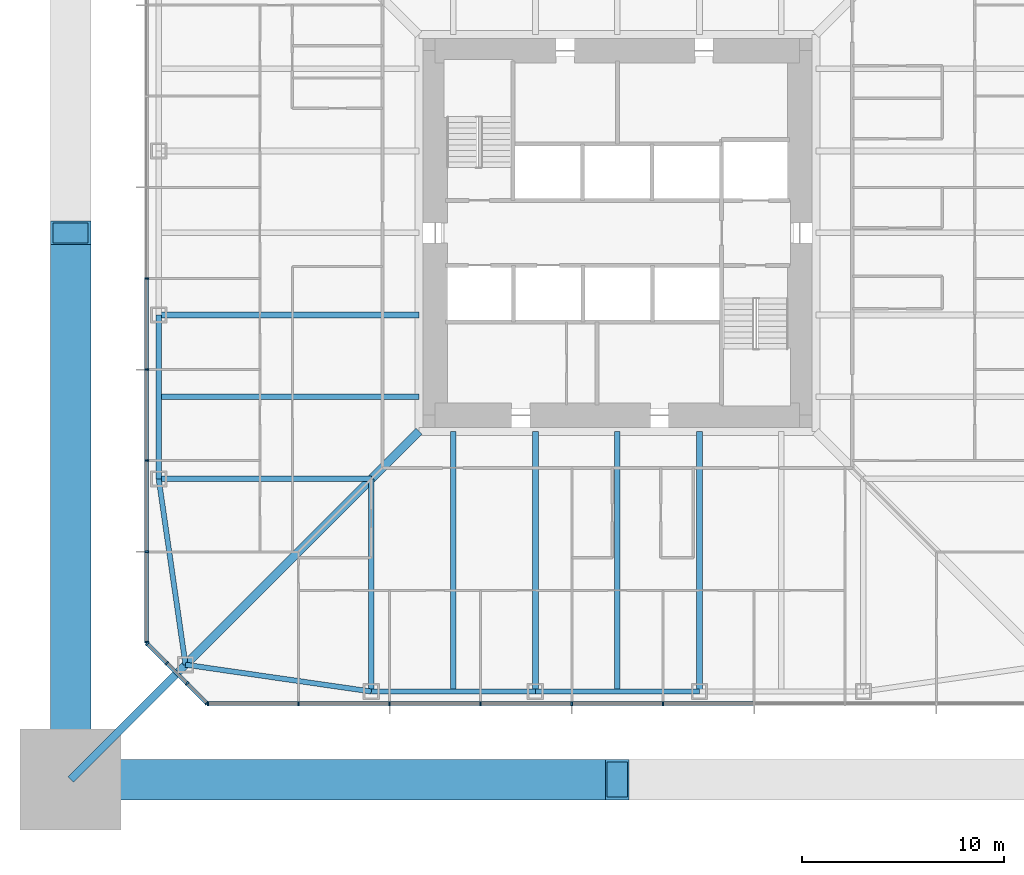
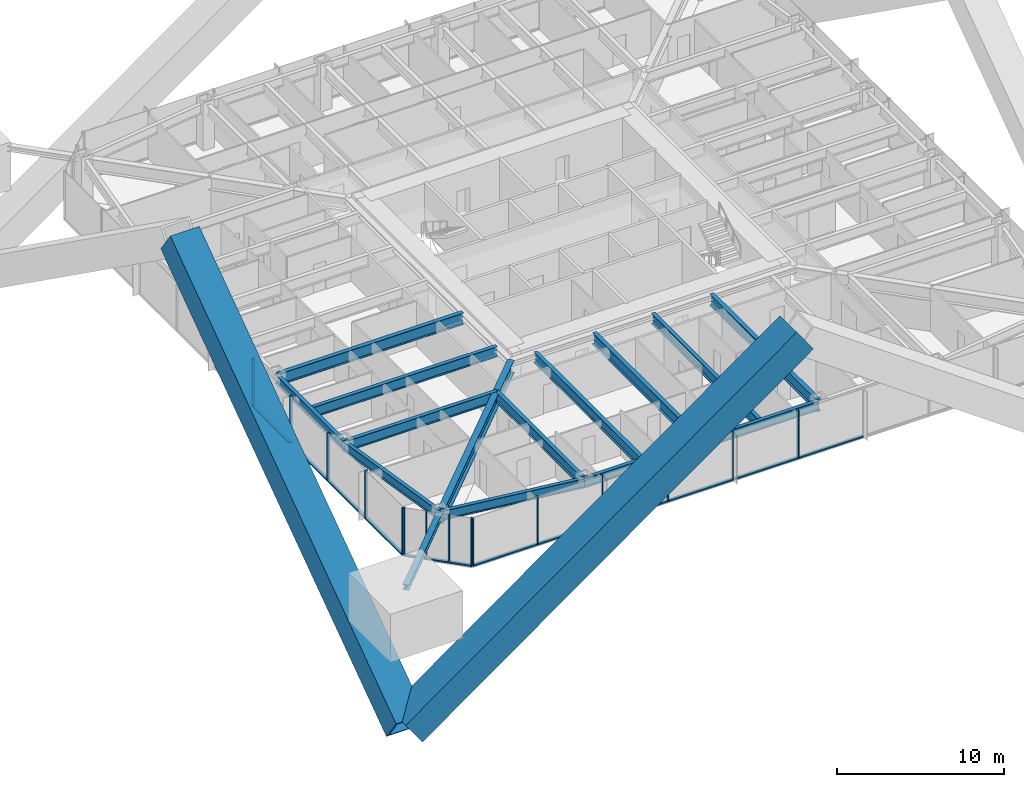
# One storey, part 3 of 28: 31 members, 14 beams, 3 elements without a shape of their own.
"""IFC4 building model written with IfcOpenShell, lengths in metres."""

import ifcopenshell
import ifcopenshell.guid

model = None  # the IFC model being written
_history = None  # IfcOwnerHistory: only IFC2X3 demands one
_inside = {}  # id of a spatial element -> (the spatial element, [elements in it])
_under = {}  # id of a project, library or spatial element -> (it, [spatial elements below it])
_declared = {}  # id of a project -> (the project, [libraries it declares])
_typed = {}  # id of a type object -> (the type object, [elements of that type])
_made_of = {}  # id of a material, layer set ... -> (it, [elements and type objects made of it])


def new_model(schema):
    """Start an empty IFC model of exactly this schema.

    Asked for "IFC4X3", IfcOpenShell would pick the latest addendum, in which some entities
    have other attributes; the version numbers below select the first issue.
    IFC2X3 requires an IfcOwnerHistory on every rooted entity: one is made here for all.
    """
    global model, _history
    if schema == "IFC4X3":
        model = ifcopenshell.file(schema_version=(4, 3, 0, 0))
    else:
        model = ifcopenshell.file(schema=schema)
    _inside.clear()
    _under.clear()
    _declared.clear()
    _typed.clear()
    _made_of.clear()
    _history = None
    if model.schema == "IFC2X3":
        org = make("IfcOrganization", Name="unknown")
        user = make(
            "IfcPersonAndOrganization",
            ThePerson=make("IfcPerson", FamilyName="unknown"),
            TheOrganization=org,
        )
        app = make(
            "IfcApplication",
            ApplicationDeveloper=org,
            Version="unknown",
            ApplicationFullName="unknown",
            ApplicationIdentifier="unknown",
        )
        _history = make(
            "IfcOwnerHistory",
            OwningUser=user,
            OwningApplication=app,
            ChangeAction="ADDED",
            CreationDate=0,
        )
    return model


def make(cls, **values):
    """One entity of the class cls with the attributes given. An attribute that is None is left unset."""
    return model.create_entity(
        cls, **{name: value for name, value in values.items() if value is not None}
    )


def rooted(cls, **values):
    """An entity with a GlobalId (a new one), such as an element, a storey or a relation."""
    return make(cls, GlobalId=ifcopenshell.guid.new(), OwnerHistory=_history, **values)


def si_unit(unit_type, name, prefix=None):
    """IfcSIUnit, for example si_unit("LENGTHUNIT", "METRE", prefix="MILLI")."""
    return make("IfcSIUnit", UnitType=unit_type, Prefix=prefix, Name=name)


def assignment(units):
    """IfcUnitAssignment: the units of a project."""
    return None if units is None else make("IfcUnitAssignment", Units=units)


def point(xyz):
    """IfcCartesianPoint."""
    return None if xyz is None else make("IfcCartesianPoint", Coordinates=xyz)


def direction(xyz):
    """IfcDirection."""
    return None if xyz is None else make("IfcDirection", DirectionRatios=xyz)


def frame(location, z_axis=None, x_axis=None):
    """IfcAxis2Placement3D, a coordinate frame: its origin and axes. An axis left out is left unset."""
    return make(
        "IfcAxis2Placement3D",
        Location=point(location),
        Axis=direction(z_axis),
        RefDirection=direction(x_axis),
    )


def frame_2d(location, x_axis=None):
    """IfcAxis2Placement2D, a coordinate frame in the plane: its origin and x axis."""
    return make(
        "IfcAxis2Placement2D", Location=point(location), RefDirection=direction(x_axis)
    )


def origin():
    """The frame at (0, 0, 0) with its axes left unset."""
    return frame((0.0, 0.0, 0.0))


def origin_2d():
    """The frame at (0, 0) in the plane with its x axis left unset."""
    return frame_2d((0.0, 0.0))


def place(relative_to, where):
    """IfcLocalPlacement: puts the frame where relative to a parent placement (None: the world)."""
    return make(
        "IfcLocalPlacement", PlacementRelTo=relative_to, RelativePlacement=where
    )


def context(
    kind, dimensions, precision=None, world=None, true_north=None, identifier=None
):
    """IfcGeometricRepresentationContext, for example the 3D "Model" context."""
    return make(
        "IfcGeometricRepresentationContext",
        ContextIdentifier=identifier,
        ContextType=kind,
        CoordinateSpaceDimension=dimensions,
        Precision=precision,
        WorldCoordinateSystem=world,
        TrueNorth=true_north,
    )


def subcontext(parent, identifier, kind, view, scale=None):
    """IfcGeometricRepresentationSubContext, for example "Body" below "Model"."""
    return make(
        "IfcGeometricRepresentationSubContext",
        ContextIdentifier=identifier,
        ContextType=kind,
        ParentContext=parent,
        TargetScale=scale,
        TargetView=view,
    )


def project(units=None, contexts=None):
    """IfcProject with its units and contexts."""
    return rooted(
        "IfcProject",
        Name="project",
        RepresentationContexts=contexts,
        UnitsInContext=assignment(units),
    )


def spatial(cls, under=None, at=None, **own):
    """A site, building, storey or space (cls), placed at a placement, below another one or the project."""
    s = rooted(cls, ObjectPlacement=at, **own)
    if under is not None:
        _under.setdefault(under.id(), (under, []))[1].append(s)
    return s


def profile(cls, at=None, kind="AREA", **sizes):
    """A parametric profile (cls). Its sizes go by their IFC names, for example OverallWidth=200.0."""
    return make(cls, ProfileType=kind, Position=at, **sizes)


def rectangle(**sizes):
    """IfcRectangleProfileDef."""
    return profile("IfcRectangleProfileDef", **sizes)


def hollow_rectangle(**sizes):
    """IfcRectangleHollowProfileDef."""
    return profile("IfcRectangleHollowProfileDef", **sizes)


def i_section(**sizes):
    """IfcIShapeProfileDef."""
    return profile("IfcIShapeProfileDef", **sizes)


def extrude(swept, where, along, depth):
    """IfcExtrudedAreaSolid: the profile swept, set in the frame where, extruded along a direction by depth."""
    return make(
        "IfcExtrudedAreaSolid",
        SweptArea=swept,
        Position=where,
        ExtrudedDirection=direction(along),
        Depth=depth,
    )


def shape(context_of_items, identifier, shape_type, items):
    """IfcShapeRepresentation: the items that make up one representation, for example the "Body"."""
    return make(
        "IfcShapeRepresentation",
        ContextOfItems=context_of_items,
        RepresentationIdentifier=identifier,
        RepresentationType=shape_type,
        Items=items,
    )


def material(Name=None, Category=None):
    """IfcMaterial."""
    return make("IfcMaterial", Name=Name, Category=Category)


def material_profile(
    of_material, cross_section, Name=None, Category=None, Priority=None
):
    """IfcMaterialProfile: a cross section and its material."""
    return make(
        "IfcMaterialProfile",
        Name=Name,
        Material=of_material,
        Profile=cross_section,
        Priority=Priority,
        Category=Category,
    )


def profile_set(profiles, Name=None, composite=None):
    """IfcMaterialProfileSet."""
    return make(
        "IfcMaterialProfileSet",
        Name=Name,
        MaterialProfiles=profiles,
        CompositeProfile=composite,
    )


def made_of(thing, what):
    """Note that an element or type object is made of a material, layer set ...; save() writes the relation."""
    if what is not None:
        _made_of.setdefault(what.id(), (what, []))[1].append(thing)
    return thing


def type_object(cls, material=None, **own):
    """A type object (cls), such as IfcWallType, which elements share."""
    return made_of(rooted(cls, **own), material)


def element(
    cls,
    number,
    at=None,
    inside=None,
    cuts=None,
    type_object=None,
    material=None,
    context=None,
    identifier="Body",
    shape_type=None,
    held_by="IfcProductDefinitionShape",
    body=None,
    shapes=None,
    **own,
):
    """One element of the class cls, such as IfcWall. Its Tag is "e" and its number.

    at: its placement. inside: the storey or other place that contains it. cuts: it is an
    opening in that element (IfcRelVoidsElement). A single representation is given by context,
    identifier, shape_type and body (its items); several are given by shapes. held_by: the class
    of the entity that holds the representations. save() writes the other relations.
    """
    e = rooted(cls, Tag="e%d" % number, ObjectPlacement=at, **own)
    if body is not None:
        shapes = [shape(context, identifier, shape_type, body)]
    if shapes is not None:
        e.Representation = make(held_by, Representations=shapes)
    if inside is not None:
        _inside.setdefault(inside.id(), (inside, []))[1].append(e)
    if cuts is not None:
        rooted(
            "IfcRelVoidsElement", RelatingBuildingElement=cuts, RelatedOpeningElement=e
        )
    if type_object is not None:
        _typed.setdefault(type_object.id(), (type_object, []))[1].append(e)
    return made_of(e, material)


def aggregate(whole, parts):
    """IfcRelAggregates: a whole, such as a stair, and the parts it consists of."""
    return rooted("IfcRelAggregates", RelatingObject=whole, RelatedObjects=parts)


def save(model, path):
    """Write the relations noted so far, then the file.

    IfcRelAggregates (storeys below a building ...), IfcRelContainedInSpatialStructure (elements
    in a storey), IfcRelDefinesByType, IfcRelAssociatesMaterial and IfcRelDeclares: one each for
    every whole, place, type object, material and project.
    """
    for whole, parts in _under.values():
        aggregate(whole, parts)
    for where, things in _inside.values():
        rooted(
            "IfcRelContainedInSpatialStructure",
            RelatedElements=things,
            RelatingStructure=where,
        )
    for kind, things in _typed.values():
        rooted("IfcRelDefinesByType", RelatedObjects=things, RelatingType=kind)
    for what, things in _made_of.values():
        rooted("IfcRelAssociatesMaterial", RelatedObjects=things, RelatingMaterial=what)
    for by, libraries in _declared.values():
        rooted("IfcRelDeclares", RelatingContext=by, RelatedDefinitions=libraries)
    model.write(path)


model = new_model("IFC4")

# Units and contexts
model_context = context("Model", 3, precision=1e-05, world=origin(), true_north=direction((0.0, 1.0)))
body_context = subcontext(model_context, "Body", "Model", "MODEL_VIEW")
ifc_project = project(units=[si_unit("LENGTHUNIT", "METRE"), si_unit("AREAUNIT", "SQUARE_METRE"), si_unit("VOLUMEUNIT", "CUBIC_METRE"), si_unit("PLANEANGLEUNIT", "RADIAN"), si_unit("MASSUNIT", "GRAM", prefix="KILO")], contexts=[model_context])

# Site, building, storey
site_placement = place(None, origin())
site = spatial("IfcSite", under=ifc_project, at=site_placement, CompositionType="ELEMENT")
building_placement = place(site_placement, origin())
building = spatial("IfcBuilding", under=site, at=building_placement, Name="Iwan Alto Co-Living Towers", CompositionType="ELEMENT")
storey_placement = place(building_placement, frame((0.0, 0.0, 43.0)))
storey = spatial("IfcBuildingStorey", under=building, at=storey_placement, Name="L11", CompositionType="ELEMENT", Elevation=43.0)

# Curtain wall, members
ifc_material_1 = material(Name="Bronze aluminium unitised frame", Category="aluminium")
curtain_wall_type_1 = type_object("IfcCurtainWallType", Name="CURTAIN WALL CW-A", PredefinedType="NOTDEFINED", material=ifc_material_1)
curtain_wall_1_placement = place(storey_placement, origin())
curtain_wall_1 = element("IfcCurtainWall", 1, at=curtain_wall_1_placement, inside=storey, type_object=curtain_wall_type_1, Name="T1 curtain wall S L11", PredefinedType="NOTDEFINED")
ifc_material_2 = material(Name="Aluminium 6063-T6 bronze anodised", Category="aluminium")
ifc_material_profile_1 = material_profile(ifc_material_2, rectangle(XDim=0.199951171875, YDim=0.080078125, at=origin_2d()), Name="AL 80X200")
ifc_profile_set_1 = profile_set([ifc_material_profile_1], Name="Aluminium 6063-T6 bronze anodised")
member_type_1 = type_object("IfcMemberType", Name="CW-A MULLION 80X200", PredefinedType="MULLION", material=ifc_profile_set_1)
member_1_placement = place(storey_placement, frame((-20.2099609375, -23.25, 0.0), z_axis=(0.0, 0.0, 1.0), x_axis=(0.0, 1.0, 0.0)))
member_1 = element("IfcMember", 2, at=member_1_placement, type_object=member_type_1, Name="CW-A mullion 1", PredefinedType="MULLION", context=body_context, shape_type="SweptSolid", body=[
    extrude(rectangle(XDim=0.199951171875, YDim=0.080078125, at=origin_2d()), origin(), (0.0, 0.0, 1.0), 3.5),
])
member_2_placement = place(storey_placement, frame((-15.75, -23.25, 0.0), z_axis=(0.0, 0.0, 1.0), x_axis=(0.0, 1.0, 0.0)))
member_2 = element("IfcMember", 3, at=member_2_placement, type_object=member_type_1, Name="CW-A mullion 2", PredefinedType="MULLION", context=body_context, shape_type="SweptSolid", body=[
    extrude(rectangle(XDim=0.199951171875, YDim=0.080078125, at=origin_2d()), origin(), (0.0, 0.0, 1.0), 3.5),
])
member_3_placement = place(storey_placement, frame((-11.25, -23.25, 0.0), z_axis=(0.0, 0.0, 1.0), x_axis=(0.0, 1.0, 0.0)))
member_3 = element("IfcMember", 4, at=member_3_placement, type_object=member_type_1, Name="CW-A mullion 3", PredefinedType="MULLION", context=body_context, shape_type="SweptSolid", body=[
    extrude(rectangle(XDim=0.199951171875, YDim=0.080078125, at=origin_2d()), origin(), (0.0, 0.0, 1.0), 3.5),
])
member_4_placement = place(storey_placement, frame((-6.75, -23.25, 0.0), z_axis=(0.0, 0.0, 1.0), x_axis=(0.0, 1.0, 0.0)))
member_4 = element("IfcMember", 5, at=member_4_placement, type_object=member_type_1, Name="CW-A mullion 4", PredefinedType="MULLION", context=body_context, shape_type="SweptSolid", body=[
    extrude(rectangle(XDim=0.199951171875, YDim=0.080078125, at=origin_2d()), origin(), (0.0, 0.0, 1.0), 3.5),
])
member_5_placement = place(storey_placement, frame((-2.25, -23.25, 0.0), z_axis=(0.0, 0.0, 1.0), x_axis=(0.0, 1.0, 0.0)))
member_5 = element("IfcMember", 6, at=member_5_placement, type_object=member_type_1, Name="CW-A mullion 5", PredefinedType="MULLION", context=body_context, shape_type="SweptSolid", body=[
    extrude(rectangle(XDim=0.199951171875, YDim=0.080078125, at=origin_2d()), origin(), (0.0, 0.0, 1.0), 3.5),
])
member_6_placement = place(storey_placement, frame((2.25, -23.25, 0.0), z_axis=(0.0, 0.0, 1.0), x_axis=(0.0, 1.0, 0.0)))
member_6 = element("IfcMember", 7, at=member_6_placement, type_object=member_type_1, Name="CW-A mullion 6", PredefinedType="MULLION", context=body_context, shape_type="SweptSolid", body=[
    extrude(rectangle(XDim=0.199951171875, YDim=0.080078125, at=origin_2d()), origin(), (0.0, 0.0, 1.0), 3.5),
])

curtain_wall_2_placement = place(storey_placement, origin())
curtain_wall_2 = element("IfcCurtainWall", 8, at=curtain_wall_2_placement, inside=storey, type_object=curtain_wall_type_1, Name="T1 curtain wall W L11", PredefinedType="NOTDEFINED")
member_7_placement = place(storey_placement, frame((-23.25, -2.25, 0.0), z_axis=(0.0, 0.0, 1.0), x_axis=(1.0, 0.0, 0.0)))
member_7 = element("IfcMember", 9, at=member_7_placement, type_object=member_type_1, Name="CW-A mullion 6", PredefinedType="MULLION", context=body_context, shape_type="SweptSolid", body=[
    extrude(rectangle(XDim=0.199951171875, YDim=0.080078125, at=origin_2d()), origin(), (0.0, 0.0, 1.0), 3.5),
])
member_8_placement = place(storey_placement, frame((-23.25, -6.75, 0.0), z_axis=(0.0, 0.0, 1.0), x_axis=(1.0, 0.0, 0.0)))
member_8 = element("IfcMember", 10, at=member_8_placement, type_object=member_type_1, Name="CW-A mullion 7", PredefinedType="MULLION", context=body_context, shape_type="SweptSolid", body=[
    extrude(rectangle(XDim=0.199951171875, YDim=0.080078125, at=origin_2d()), origin(), (0.0, 0.0, 1.0), 3.5),
])
member_9_placement = place(storey_placement, frame((-23.25, -11.25, 0.0), z_axis=(0.0, 0.0, 1.0), x_axis=(1.0, 0.0, 0.0)))
member_9 = element("IfcMember", 11, at=member_9_placement, type_object=member_type_1, Name="CW-A mullion 8", PredefinedType="MULLION", context=body_context, shape_type="SweptSolid", body=[
    extrude(rectangle(XDim=0.199951171875, YDim=0.080078125, at=origin_2d()), origin(), (0.0, 0.0, 1.0), 3.5),
])
member_10_placement = place(storey_placement, frame((-23.25, -15.75, 0.0), z_axis=(0.0, 0.0, 1.0), x_axis=(1.0, 0.0, 0.0)))
member_10 = element("IfcMember", 12, at=member_10_placement, type_object=member_type_1, Name="CW-A mullion 9", PredefinedType="MULLION", context=body_context, shape_type="SweptSolid", body=[
    extrude(rectangle(XDim=0.199951171875, YDim=0.080078125, at=origin_2d()), origin(), (0.0, 0.0, 1.0), 3.5),
])
member_11_placement = place(storey_placement, frame((-23.25, -20.2099609375, 0.0), z_axis=(0.0, 0.0, 1.0), x_axis=(1.0, 0.0, 0.0)))
member_11 = element("IfcMember", 13, at=member_11_placement, type_object=member_type_1, Name="CW-A mullion 10", PredefinedType="MULLION", context=body_context, shape_type="SweptSolid", body=[
    extrude(rectangle(XDim=0.199951171875, YDim=0.080078125, at=origin_2d()), origin(), (0.0, 0.0, 1.0), 3.5),
])

# Member
ifc_material_3 = material(Name="Aluminium 6063-T6 bronze anodised", Category="aluminium")
ifc_material_profile_2 = material_profile(ifc_material_3, rectangle(XDim=0.199951171875, YDim=0.10009765625, at=origin_2d()), Name="AL 200X100")
ifc_profile_set_2 = profile_set([ifc_material_profile_2], Name="Aluminium 6063-T6 bronze anodised")
member_type_2 = type_object("IfcMemberType", Name="CW-A TRANSOM 200X100", PredefinedType="USERDEFINED", material=ifc_profile_set_2)
member_12_placement = place(storey_placement, frame((-20.169921875, -23.25, 0.050048828125), z_axis=(1.0, 0.0, 0.0), x_axis=(0.0, 1.0, 0.0)))
member_12 = element("IfcMember", 14, at=member_12_placement, type_object=member_type_2, Name="CW-A transom 1.1", ObjectType="TRANSOM", PredefinedType="USERDEFINED", context=body_context, shape_type="SweptSolid", body=[
    extrude(rectangle(XDim=0.199951171875, YDim=0.10009765625, at=origin_2d()), origin(), (0.0, 0.0, 1.0), 4.3798828125),
])

member_13_placement = place(storey_placement, frame((-15.7099609375, -23.25, 0.050048828125), z_axis=(1.0, 0.0, 0.0), x_axis=(0.0, 1.0, 0.0)))
member_13 = element("IfcMember", 15, at=member_13_placement, type_object=member_type_2, Name="CW-A transom 2.1", ObjectType="TRANSOM", PredefinedType="USERDEFINED", context=body_context, shape_type="SweptSolid", body=[
    extrude(rectangle(XDim=0.199951171875, YDim=0.10009765625, at=origin_2d()), origin(), (0.0, 0.0, 1.0), 4.419921875),
])

member_14_placement = place(storey_placement, frame((-11.2099609375, -23.25, 0.050048828125), z_axis=(1.0, 0.0, 0.0), x_axis=(0.0, 1.0, 0.0)))
member_14 = element("IfcMember", 16, at=member_14_placement, type_object=member_type_2, Name="CW-A transom 3.1", ObjectType="TRANSOM", PredefinedType="USERDEFINED", context=body_context, shape_type="SweptSolid", body=[
    extrude(rectangle(XDim=0.199951171875, YDim=0.10009765625, at=origin_2d()), origin(), (0.0, 0.0, 1.0), 4.419921875),
])

member_15_placement = place(storey_placement, frame((-6.7099609375, -23.25, 0.050048828125), z_axis=(1.0, 0.0, 0.0), x_axis=(0.0, 1.0, 0.0)))
member_15 = element("IfcMember", 17, at=member_15_placement, type_object=member_type_2, Name="CW-A transom 4.1", ObjectType="TRANSOM", PredefinedType="USERDEFINED", context=body_context, shape_type="SweptSolid", body=[
    extrude(rectangle(XDim=0.199951171875, YDim=0.10009765625, at=origin_2d()), origin(), (0.0, 0.0, 1.0), 4.419921875),
])

member_16_placement = place(storey_placement, frame((-2.2099609375, -23.25, 0.050048828125), z_axis=(1.0, 0.0, 0.0), x_axis=(0.0, 1.0, 0.0)))
member_16 = element("IfcMember", 18, at=member_16_placement, type_object=member_type_2, Name="CW-A transom 5.1", ObjectType="TRANSOM", PredefinedType="USERDEFINED", context=body_context, shape_type="SweptSolid", body=[
    extrude(rectangle(XDim=0.199951171875, YDim=0.10009765625, at=origin_2d()), origin(), (0.0, 0.0, 1.0), 4.419921875),
])

member_17_placement = place(storey_placement, frame((2.2900390625, -23.25, 0.050048828125), z_axis=(1.0, 0.0, 0.0), x_axis=(0.0, 1.0, 0.0)))
member_17 = element("IfcMember", 19, at=member_17_placement, type_object=member_type_2, Name="CW-A transom 6.1", ObjectType="TRANSOM", PredefinedType="USERDEFINED", context=body_context, shape_type="SweptSolid", body=[
    extrude(rectangle(XDim=0.199951171875, YDim=0.10009765625, at=origin_2d()), origin(), (0.0, 0.0, 1.0), 4.419921875),
])

aggregate(curtain_wall_1, [member_1, member_2, member_3, member_4, member_5, member_6, member_12, member_13, member_14, member_15, member_16, member_17])

member_18_placement = place(storey_placement, frame((-23.25, -2.2900390625, 0.050048828125), z_axis=(0.0, -1.0, 0.0), x_axis=(1.0, 0.0, 0.0)))
member_18 = element("IfcMember", 20, at=member_18_placement, type_object=member_type_2, Name="CW-A transom 6.1", ObjectType="TRANSOM", PredefinedType="USERDEFINED", context=body_context, shape_type="SweptSolid", body=[
    extrude(rectangle(XDim=0.199951171875, YDim=0.10009765625, at=origin_2d()), origin(), (0.0, 0.0, 1.0), 4.419921875),
])

member_19_placement = place(storey_placement, frame((-23.25, -6.7900390625, 0.050048828125), z_axis=(0.0, -1.0, 0.0), x_axis=(1.0, 0.0, 0.0)))
member_19 = element("IfcMember", 21, at=member_19_placement, type_object=member_type_2, Name="CW-A transom 7.1", ObjectType="TRANSOM", PredefinedType="USERDEFINED", context=body_context, shape_type="SweptSolid", body=[
    extrude(rectangle(XDim=0.199951171875, YDim=0.10009765625, at=origin_2d()), origin(), (0.0, 0.0, 1.0), 4.419921875),
])

member_20_placement = place(storey_placement, frame((-23.25, -11.2900390625, 0.050048828125), z_axis=(0.0, -1.0, 0.0), x_axis=(1.0, 0.0, 0.0)))
member_20 = element("IfcMember", 22, at=member_20_placement, type_object=member_type_2, Name="CW-A transom 8.1", ObjectType="TRANSOM", PredefinedType="USERDEFINED", context=body_context, shape_type="SweptSolid", body=[
    extrude(rectangle(XDim=0.199951171875, YDim=0.10009765625, at=origin_2d()), origin(), (0.0, 0.0, 1.0), 4.419921875),
])

member_21_placement = place(storey_placement, frame((-23.25, -15.7900390625, 0.050048828125), z_axis=(0.0, -1.0, 0.0), x_axis=(1.0, 0.0, 0.0)))
member_21 = element("IfcMember", 23, at=member_21_placement, type_object=member_type_2, Name="CW-A transom 9.1", ObjectType="TRANSOM", PredefinedType="USERDEFINED", context=body_context, shape_type="SweptSolid", body=[
    extrude(rectangle(XDim=0.199951171875, YDim=0.10009765625, at=origin_2d()), origin(), (0.0, 0.0, 1.0), 4.3798828125),
])

aggregate(curtain_wall_2, [member_7, member_8, member_9, member_10, member_11, member_18, member_19, member_20, member_21])

# Curtain wall, members
ifc_material_4 = material(Name="Bronze aluminium unitised frame", Category="aluminium")
curtain_wall_type_2 = type_object("IfcCurtainWallType", Name="CURTAIN WALL CW-B", PredefinedType="NOTDEFINED", material=ifc_material_4)
curtain_wall_3_placement = place(storey_placement, origin())
curtain_wall_3 = element("IfcCurtainWall", 24, at=curtain_wall_3_placement, inside=storey, type_object=curtain_wall_type_2, Name="T1 chamfer curtain wall SW L11", PredefinedType="NOTDEFINED")
ifc_material_5 = material(Name="Aluminium 6063-T6 bronze anodised", Category="aluminium")
ifc_material_profile_3 = material_profile(ifc_material_5, rectangle(XDim=0.199951171875, YDim=0.080078125, at=origin_2d()), Name="AL 80X200")
ifc_profile_set_3 = profile_set([ifc_material_profile_3], Name="Aluminium 6063-T6 bronze anodised")
member_type_3 = type_object("IfcMemberType", Name="CW-B MULLION 80X200", PredefinedType="MULLION", material=ifc_profile_set_3)
member_22_placement = place(storey_placement, frame((-23.2216796875, -20.2783203125, 0.0), z_axis=(0.0, 0.0, 1.0), x_axis=(0.707106781187, 0.707106781187, 0.0)))
member_22 = element("IfcMember", 25, at=member_22_placement, type_object=member_type_3, Name="CW-B mullion 1", PredefinedType="MULLION", context=body_context, shape_type="SweptSolid", body=[
    extrude(rectangle(XDim=0.199951171875, YDim=0.080078125, at=origin_2d()), origin(), (0.0, 0.0, 1.0), 3.5),
])
member_23_placement = place(storey_placement, frame((-22.25, -21.25, 0.0), z_axis=(0.0, 0.0, 1.0), x_axis=(0.707106781187, 0.707106781187, 0.0)))
member_23 = element("IfcMember", 26, at=member_23_placement, type_object=member_type_3, Name="CW-B mullion 2", PredefinedType="MULLION", context=body_context, shape_type="SweptSolid", body=[
    extrude(rectangle(XDim=0.199951171875, YDim=0.080078125, at=origin_2d()), origin(), (0.0, 0.0, 1.0), 3.5),
])
member_24_placement = place(storey_placement, frame((-21.25, -22.25, 0.0), z_axis=(0.0, 0.0, 1.0), x_axis=(0.707106781187, 0.707106781187, 0.0)))
member_24 = element("IfcMember", 27, at=member_24_placement, type_object=member_type_3, Name="CW-B mullion 3", PredefinedType="MULLION", context=body_context, shape_type="SweptSolid", body=[
    extrude(rectangle(XDim=0.199951171875, YDim=0.080078125, at=origin_2d()), origin(), (0.0, 0.0, 1.0), 3.5),
])
member_25_placement = place(storey_placement, frame((-20.2783203125, -23.2216796875, 0.0), z_axis=(0.0, 0.0, 1.0), x_axis=(0.707106781187, 0.707106781187, 0.0)))
member_25 = element("IfcMember", 28, at=member_25_placement, type_object=member_type_3, Name="CW-B mullion 4", PredefinedType="MULLION", context=body_context, shape_type="SweptSolid", body=[
    extrude(rectangle(XDim=0.199951171875, YDim=0.080078125, at=origin_2d()), origin(), (0.0, 0.0, 1.0), 3.5),
])
ifc_material_6 = material(Name="Aluminium 6063-T6 bronze anodised", Category="aluminium")
ifc_material_profile_4 = material_profile(ifc_material_6, rectangle(XDim=0.199951171875, YDim=0.10009765625, at=origin_2d()), Name="AL 200X100")
ifc_profile_set_4 = profile_set([ifc_material_profile_4], Name="Aluminium 6063-T6 bronze anodised")
member_type_4 = type_object("IfcMemberType", Name="CW-B TRANSOM 200X100", PredefinedType="USERDEFINED", material=ifc_profile_set_4)
member_26_placement = place(storey_placement, frame((-23.193359375, -20.306640625, 0.050048828125), z_axis=(0.707106781187, -0.707106781187, 0.0), x_axis=(0.707106781187, 0.707106781187, 0.0)))
member_26 = element("IfcMember", 29, at=member_26_placement, type_object=member_type_4, Name="CW-B transom 1.1", ObjectType="TRANSOM", PredefinedType="USERDEFINED", context=body_context, shape_type="SweptSolid", body=[
    extrude(rectangle(XDim=0.199951171875, YDim=0.10009765625, at=origin_2d()), origin(), (0.0, 0.0, 1.0), 1.2939453125),
])
member_27_placement = place(storey_placement, frame((-22.2216796875, -21.2783203125, 0.050048828125), z_axis=(0.707106781187, -0.707106781187, 0.0), x_axis=(0.707106781187, 0.707106781187, 0.0)))
member_27 = element("IfcMember", 30, at=member_27_placement, type_object=member_type_4, Name="CW-B transom 2.1", ObjectType="TRANSOM", PredefinedType="USERDEFINED", context=body_context, shape_type="SweptSolid", body=[
    extrude(rectangle(XDim=0.199951171875, YDim=0.10009765625, at=origin_2d()), origin(), (0.0, 0.0, 1.0), 1.334228515625),
])
member_28_placement = place(storey_placement, frame((-21.2216796875, -22.2783203125, 0.050048828125), z_axis=(0.707106781187, -0.707106781187, 0.0), x_axis=(0.707106781187, 0.707106781187, 0.0)))
member_28 = element("IfcMember", 31, at=member_28_placement, type_object=member_type_4, Name="CW-B transom 3.1", ObjectType="TRANSOM", PredefinedType="USERDEFINED", context=body_context, shape_type="SweptSolid", body=[
    extrude(rectangle(XDim=0.199951171875, YDim=0.10009765625, at=origin_2d()), origin(), (0.0, 0.0, 1.0), 1.2939453125),
])
aggregate(curtain_wall_3, [member_22, member_23, member_24, member_25, member_26, member_27, member_28])

# Beams
ifc_material_7 = material(Name="Steel ASTM A992 Gr 50", Category="steel")
ifc_material_profile_5 = material_profile(ifc_material_7, i_section(OverallWidth=0.419189453125, OverallDepth=0.927001953125, WebThickness=0.019287109375, FlangeThickness=0.031982421875, at=origin_2d()), Name="W36X231")
ifc_profile_set_5 = profile_set([ifc_material_profile_5], Name="Steel ASTM A992 Gr 50")
beam_type_1 = type_object("IfcBeamType", Name="T1 CORNER GIRDER W36X231", PredefinedType="BEAM", material=ifc_profile_set_5)
beam_1_placement = place(storey_placement, frame((-21.32568359375, -21.32568359375, 2.806396484375), z_axis=(0.707106781187, 0.707106781187, 0.0), x_axis=(-0.707106781187, 0.707106781187, 0.0)))
element("IfcBeam", 32, at=beam_1_placement, inside=storey, type_object=beam_type_1, Name="T1 corner girder CSW L12", PredefinedType="BEAM", context=body_context, shape_type="SweptSolid", body=[
    extrude(i_section(OverallWidth=0.419189453125, OverallDepth=0.927001953125, WebThickness=0.019287109375, FlangeThickness=0.031982421875, at=origin_2d()), origin(), (0.0, 0.0, 1.0), 16.296875),
])
ifc_material_8 = material(Name="Steel ASTM A992 Gr 50", Category="steel")
ifc_material_profile_6 = material_profile(ifc_material_8, i_section(OverallWidth=0.25390625, OverallDepth=0.683349609375, WebThickness=0.012451171875, FlangeThickness=0.018798828125, at=origin_2d()), Name="W27X94")
ifc_profile_set_6 = profile_set([ifc_material_profile_6], Name="Steel ASTM A992 Gr 50")
beam_type_2 = type_object("IfcBeamType", Name="T1 EDGE BEAM W27X94", PredefinedType="BEAM", material=ifc_profile_set_6)
beam_2_placement = place(storey_placement, frame((-21.32568359375, -21.32568359375, 2.928466796875), z_axis=(0.989746234347, -0.142836940589, 0.0), x_axis=(0.142836940589, 0.989746234347, 0.0)))
element("IfcBeam", 33, at=beam_2_placement, inside=storey, type_object=beam_type_2, Name="T1 edge beam CSW L12", PredefinedType="BEAM", context=body_context, shape_type="SweptSolid", body=[
    extrude(i_section(OverallWidth=0.25390625, OverallDepth=0.683349609375, WebThickness=0.012451171875, FlangeThickness=0.018798828125, at=origin_2d()), origin(), (0.0, 0.0, 1.0), 9.270751953125),
])
beam_3_placement = place(storey_placement, frame((-12.14990234375, -22.64990234375, 2.928466796875), z_axis=(1.0, 0.0, 0.0), x_axis=(0.0, 1.0, 0.0)))
element("IfcBeam", 34, at=beam_3_placement, inside=storey, type_object=beam_type_2, Name="T1 edge beam S1 L12", PredefinedType="BEAM", context=body_context, shape_type="SweptSolid", body=[
    extrude(i_section(OverallWidth=0.25390625, OverallDepth=0.683349609375, WebThickness=0.012451171875, FlangeThickness=0.018798828125, at=origin_2d()), origin(), (0.0, 0.0, 1.0), 8.099853515625),
])
beam_4_placement = place(storey_placement, frame((-4.050048828125, -22.64990234375, 2.928466796875), z_axis=(1.0, 0.0, 0.0), x_axis=(0.0, 1.0, 0.0)))
element("IfcBeam", 35, at=beam_4_placement, inside=storey, type_object=beam_type_2, Name="T1 edge beam S2 L12", PredefinedType="BEAM", context=body_context, shape_type="SweptSolid", body=[
    extrude(i_section(OverallWidth=0.25390625, OverallDepth=0.683349609375, WebThickness=0.012451171875, FlangeThickness=0.018798828125, at=origin_2d()), origin(), (0.0, 0.0, 1.0), 8.10009765625),
])
beam_5_placement = place(storey_placement, frame((-22.64990234375, -4.050048828125, 2.928466796875), z_axis=(0.0, -1.0, 0.0), x_axis=(1.0, 0.0, 0.0)))
element("IfcBeam", 36, at=beam_5_placement, inside=storey, type_object=beam_type_2, Name="T1 edge beam W3 L12", PredefinedType="BEAM", context=body_context, shape_type="SweptSolid", body=[
    extrude(i_section(OverallWidth=0.25390625, OverallDepth=0.683349609375, WebThickness=0.012451171875, FlangeThickness=0.018798828125, at=origin_2d()), origin(), (0.0, 0.0, 1.0), 8.099853515625),
])
beam_6_placement = place(storey_placement, frame((-22.64990234375, -12.14990234375, 2.928466796875), z_axis=(0.142836940589, -0.989746234347, 0.0), x_axis=(0.989746234347, 0.142836940589, 0.0)))
element("IfcBeam", 37, at=beam_6_placement, inside=storey, type_object=beam_type_2, Name="T1 edge beam W4 L12", PredefinedType="BEAM", context=body_context, shape_type="SweptSolid", body=[
    extrude(i_section(OverallWidth=0.25390625, OverallDepth=0.683349609375, WebThickness=0.012451171875, FlangeThickness=0.018798828125, at=origin_2d()), origin(), (0.0, 0.0, 1.0), 9.270751953125),
])

# Members
ifc_material_9 = material(Name="Steel ASTM A572 Gr 42", Category="steel")
ifc_material_profile_7 = material_profile(ifc_material_9, hollow_rectangle(XDim=2.0, YDim=2.0, WallThickness=0.139892578125, at=origin_2d()), Name="BOX 2000X2000X140")
ifc_profile_set_7 = profile_set([ifc_material_profile_7], Name="Steel ASTM A572 Gr 42")
member_type_5 = type_object("IfcMemberType", Name="T1 MEGA BRACE BOX 2000X2000X140", PredefinedType="BRACE", material=ifc_profile_set_7)
for number, where, z_axis, x_axis, name in (
    (38, (-27.0, -27.0, -7.0), (0.814242569702, 0.0, 0.580524795065), (0.0, 1.0, 0.0), "T1 mega brace Z1B S 1 lower"),
    (39, (-27.0, -27.0, -7.0), (0.0, 0.814242569702, 0.580524795065), (-1.0, 0.0, 0.0), "T1 mega brace Z1B W 2 lower"),
):
    element("IfcMember", number, at=place(storey_placement, frame(where, z_axis=z_axis, x_axis=x_axis)), inside=storey, type_object=member_type_5, Name=name, PredefinedType="BRACE", context=body_context, shape_type="SweptSolid", body=[
        extrude(hollow_rectangle(XDim=2.0, YDim=2.0, WallThickness=0.139892578125, at=origin_2d()), origin(), (0.0, 0.0, 1.0), 33.15966796875),
    ])
ifc_material_10 = material(Name="Steel ASTM A992 Gr 50", Category="steel")
ifc_material_profile_8 = material_profile(ifc_material_10, i_section(OverallWidth=0.393798828125, OverallDepth=0.3759765625, WebThickness=0.017333984375, FlangeThickness=0.027587890625, at=origin_2d()), Name="W14X145")
ifc_profile_set_8 = profile_set([ifc_material_profile_8], Name="Steel ASTM A992 Gr 50")
member_type_6 = type_object("IfcMemberType", Name="T1 MEGA COLUMN FLOOR TIE W14X145", PredefinedType="STRUT", material=ifc_profile_set_8)
member_29_placement = place(storey_placement, frame((-27.0, -27.0, 3.08203125), z_axis=(0.707106781187, 0.707106781187, 0.0), x_axis=(-0.707106781187, 0.707106781187, 0.0)))
element("IfcMember", 40, at=member_29_placement, inside=storey, type_object=member_type_6, Name="T1 mega column floor tie SW L12", PredefinedType="STRUT", context=body_context, shape_type="SweptSolid", body=[
    extrude(i_section(OverallWidth=0.393798828125, OverallDepth=0.3759765625, WebThickness=0.017333984375, FlangeThickness=0.027587890625, at=origin_2d()), origin(), (0.0, 0.0, 1.0), 8.024658203125),
])

# Beams
ifc_material_11 = material(Name="Steel ASTM A992 Gr 50", Category="steel")
ifc_material_profile_9 = material_profile(ifc_material_11, i_section(OverallWidth=0.2666015625, OverallDepth=0.761962890625, WebThickness=0.014404296875, FlangeThickness=0.021484375, at=origin_2d()), Name="W30X116")
ifc_profile_set_9 = profile_set([ifc_material_profile_9], Name="Steel ASTM A992 Gr 50")
beam_type_3 = type_object("IfcBeamType", Name="T1 RADIAL BEAM W30X116", PredefinedType="BEAM", material=ifc_profile_set_9)
for number, where, z_axis, x_axis, name in (
    (41, (-12.14990234375, -22.64990234375, 2.888916015625), (0.0, 1.0, 0.0), (-1.0, 0.0, 0.0), "T1 radial beam S1 L12"),
    (42, (-22.64990234375, -12.14990234375, 2.888916015625), (1.0, 0.0, 0.0), (0.0, 1.0, 0.0), "T1 radial beam W4 L12"),
):
    element("IfcBeam", number, at=place(storey_placement, frame(where, z_axis=z_axis, x_axis=x_axis)), inside=storey, type_object=beam_type_3, Name=name, PredefinedType="BEAM", context=body_context, shape_type="SweptSolid", body=[
        extrude(i_section(OverallWidth=0.2666015625, OverallDepth=0.761962890625, WebThickness=0.014404296875, FlangeThickness=0.021484375, at=origin_2d()), origin(), (0.0, 0.0, 1.0), 10.5),
    ])
ifc_material_12 = material(Name="Steel ASTM A992 Gr 50", Category="steel")
ifc_material_profile_10 = material_profile(ifc_material_12, i_section(OverallWidth=0.2919921875, OverallDepth=0.8408203125, WebThickness=0.0146484375, FlangeThickness=0.021728515625, at=origin_2d()), Name="W33X130")
ifc_profile_set_10 = profile_set([ifc_material_profile_10], Name="Steel ASTM A992 Gr 50")
beam_type_4 = type_object("IfcBeamType", Name="T1 RADIAL BEAM W33X130", PredefinedType="BEAM", material=ifc_profile_set_10)
for number, where, z_axis, x_axis, name in (
    (43, (-4.050048828125, -22.64990234375, 2.849609375), (0.0, 1.0, 0.0), (-1.0, 0.0, 0.0), "T1 radial beam S2 L12"),
    (44, (4.050048828125, -22.64990234375, 2.849609375), (0.0, 1.0, 0.0), (-1.0, 0.0, 0.0), "T1 radial beam S3 L12"),
    (45, (-22.64990234375, -4.050048828125, 2.849609375), (1.0, 0.0, 0.0), (0.0, 1.0, 0.0), "T1 radial beam W3 L12"),
):
    element("IfcBeam", number, at=place(storey_placement, frame(where, z_axis=z_axis, x_axis=x_axis)), inside=storey, type_object=beam_type_4, Name=name, PredefinedType="BEAM", context=body_context, shape_type="SweptSolid", body=[
        extrude(i_section(OverallWidth=0.2919921875, OverallDepth=0.8408203125, WebThickness=0.0146484375, FlangeThickness=0.021728515625, at=origin_2d()), origin(), (0.0, 0.0, 1.0), 12.847900390625),
    ])
ifc_material_13 = material(Name="Steel ASTM A992 Gr 50", Category="steel")
ifc_material_profile_11 = material_profile(ifc_material_13, i_section(OverallWidth=0.2666015625, OverallDepth=0.761962890625, WebThickness=0.014404296875, FlangeThickness=0.021484375, at=origin_2d()), Name="W30X116")
ifc_profile_set_11 = profile_set([ifc_material_profile_11], Name="Steel ASTM A992 Gr 50")
beam_type_5 = type_object("IfcBeamType", Name="T1 SECONDARY BEAM W30X116", PredefinedType="JOIST", material=ifc_profile_set_11)
for number, where, z_axis, x_axis, name in (
    (46, (-8.10009765625, -22.64990234375, 2.888916015625), (0.0, 1.0, 0.0), (-1.0, 0.0, 0.0), "T1 secondary beam S1 L12"),
    (47, (0.0, -22.64990234375, 2.888916015625), (0.0, 1.0, 0.0), (-1.0, 0.0, 0.0), "T1 secondary beam S2 L12"),
    (48, (-22.64990234375, -8.10009765625, 2.888916015625), (1.0, 0.0, 0.0), (0.0, 1.0, 0.0), "T1 secondary beam W3 L12"),
):
    element("IfcBeam", number, at=place(storey_placement, frame(where, z_axis=z_axis, x_axis=x_axis)), inside=storey, type_object=beam_type_5, Name=name, PredefinedType="JOIST", context=body_context, shape_type="SweptSolid", body=[
        extrude(i_section(OverallWidth=0.2666015625, OverallDepth=0.761962890625, WebThickness=0.014404296875, FlangeThickness=0.021484375, at=origin_2d()), origin(), (0.0, 0.0, 1.0), 12.847900390625),
    ])

save(model, "model.ifc")
